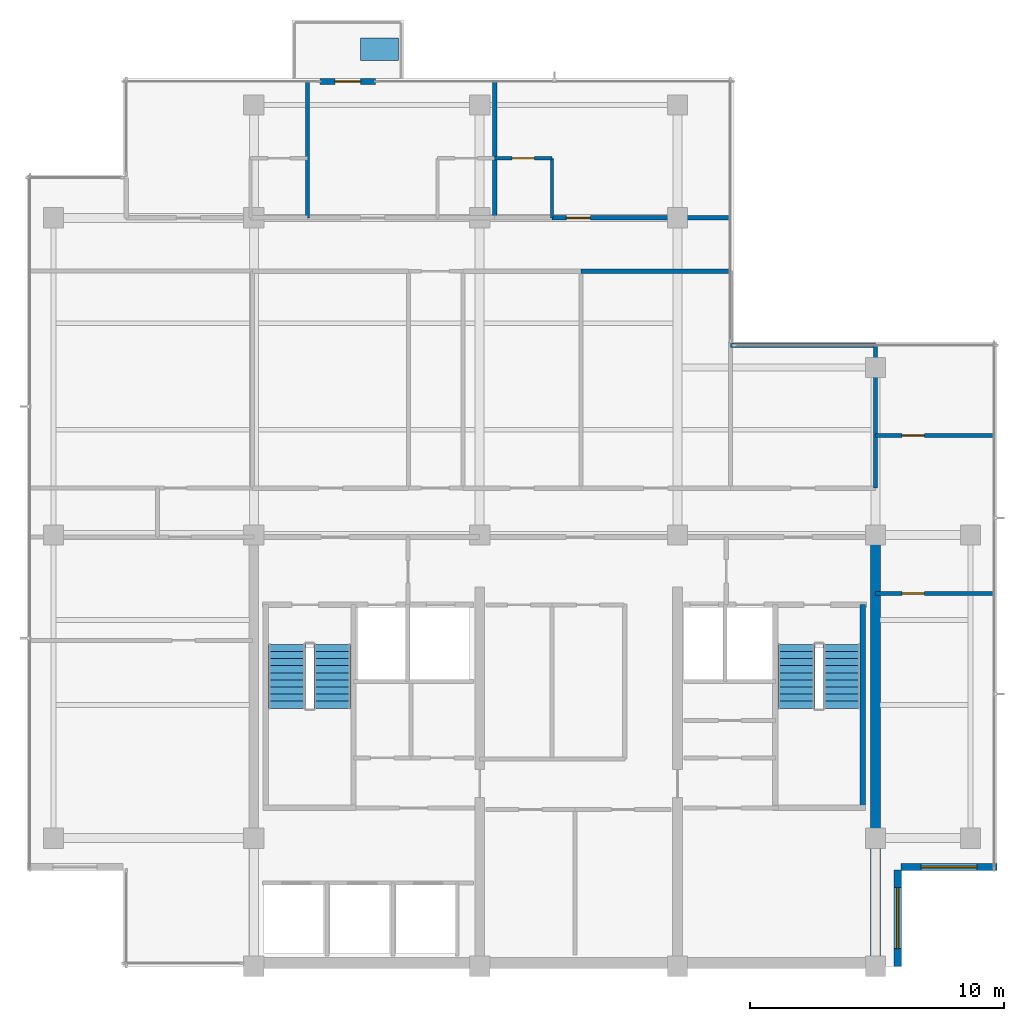
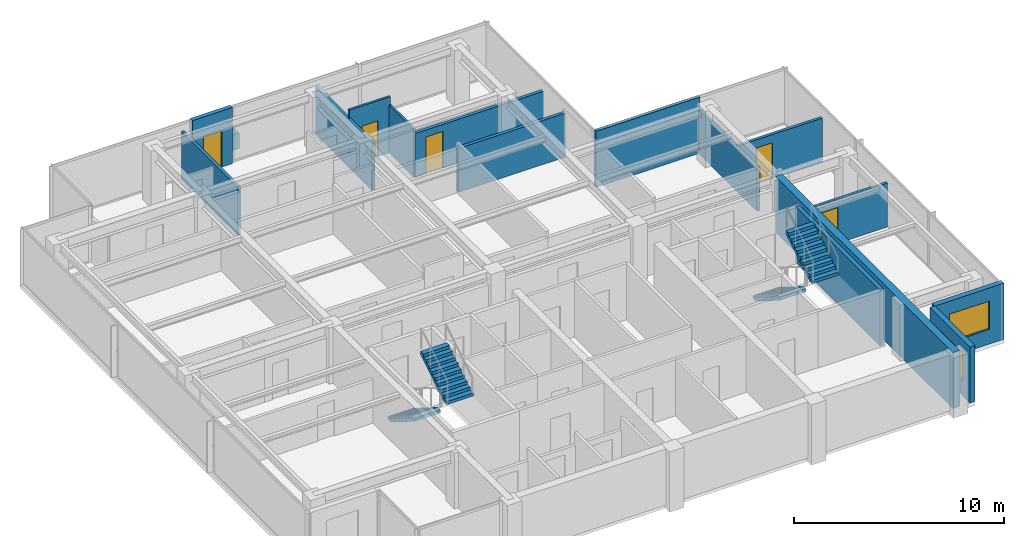
# One storey, part 8 of 11: 15 walls, 5 doors, 4 stair flights, 2 windows, 1 discrete accessory, 7 openings, 2 elements without a shape of their own.
"""IFC4 building model written with IfcOpenShell, lengths in metres."""

from ifc_helpers import new_model, si_unit, direction, frame, frame_2d, origin, place, context, subcontext, project, spatial, polyline, rectangle, outline, extrude, material, layer, layer_set, type_object, element, fill, aggregate, save


model = new_model("IFC4")

# Units and contexts
model_context = context("Model", 3, precision=1e-05, world=origin(), true_north=direction((0.0, 1.0)))
body_context = subcontext(model_context, "Body", "Model", "MODEL_VIEW")
ifc_project = project(units=[si_unit("LENGTHUNIT", "METRE"), si_unit("AREAUNIT", "SQUARE_METRE"), si_unit("VOLUMEUNIT", "CUBIC_METRE"), si_unit("PLANEANGLEUNIT", "RADIAN"), si_unit("MASSUNIT", "GRAM", prefix="KILO")], contexts=[model_context])

# Site, building, storey
site_placement = place(None, origin())
site = spatial("IfcSite", under=ifc_project, at=site_placement, CompositionType="ELEMENT")
building_placement = place(site_placement, origin())
building = spatial("IfcBuilding", under=site, at=building_placement, Name="Qalmaran Belvedere Hotel", CompositionType="ELEMENT")
storey_placement = place(building_placement, frame((0.0, 0.0, 266.89990234375)))
storey = spatial("IfcBuildingStorey", under=building, at=storey_placement, Name="L69", CompositionType="ELEMENT", Elevation=266.89990234375)

# Wall, opening, door
ifc_material_1 = material(Name="Anodised Bronze Cladding")
ifc_layer_1 = layer(ifc_material_1, 0.22509765625, Name="Anodised Bronze Cladding")
ifc_layer_set_1 = layer_set([ifc_layer_1], Name="Anodised Bronze Cladding")
wall_type_1 = type_object("IfcWallType", Name="WL-BAL-PORT-225", PredefinedType="SOLIDWALL", material=ifc_layer_set_1)
wall_1_placement = place(storey_placement, frame((22.89990234375, 38.3798828125, 0.0), z_axis=(0.0, 0.0, 1.0), x_axis=(1.0, 0.0, 0.0)))
wall_1 = element("IfcWall", 1, at=wall_1_placement, inside=storey, type_object=wall_type_1, Name="L69 Tree Balcony Door Portal", PredefinedType="SOLIDWALL", context=body_context, shape_type="SweptSolid", body=[
    extrude(rectangle(XDim=2.2001953125, YDim=0.22509765625, at=frame_2d((1.10009765625, 0.0))), origin(), (0.0, 0.0, 1.0), 3.260009765625),
])
opening_1_placement = place(wall_1_placement, frame((0.590087890625, 0.0, 0.0)))
opening_1 = element("IfcOpeningElement", 2, at=opening_1_placement, cuts=wall_1, Name="Opening BL-102", PredefinedType="OPENING", context=body_context, shape_type="SweptSolid", body=[
    extrude(rectangle(XDim=1.02001953125, YDim=2.10009765625, at=frame_2d((0.510009765625, 1.050048828125))), frame((0.0, 0.12255859375, 0.0), z_axis=(0.0, -1.0, 0.0), x_axis=(1.0, 0.0, 0.0)), (0.0, 0.0, 1.0), 0.2451171875),
])
ifc_material_2 = material(Name="Anodised Bronze Aluminium", Category="aluminium")
door_type_1 = type_object("IfcDoorType", Name="DR-BAL-1020X2100", OperationType="NOTDEFINED", PredefinedType="DOOR", material=ifc_material_2)
door_1_placement = place(opening_1_placement, origin())
door_1 = element("IfcDoor", 3, at=door_1_placement, inside=storey, type_object=door_type_1, Name="L69 Planted Tree Balcony Door", OperationType="SINGLE_SWING_RIGHT", OverallHeight=2.10009765625, OverallWidth=1.02001953125, PredefinedType="DOOR", context=body_context, shape_type="SweptSolid", body=[
    extrude(rectangle(XDim=1.02001953125, YDim=2.10009765625, at=frame_2d((0.510009765625, 1.050048828125))), frame((0.0, 0.02490234375, 0.0), z_axis=(0.0, -1.0, 0.0), x_axis=(1.0, 0.0, 0.0)), (0.0, 0.0, 1.0), 0.050048828125),
])
fill(opening_1, door_1)

# Wall
ifc_material_3 = material(Name="Concrete C50/60", Category="concrete")
ifc_layer_2 = layer(ifc_material_3, 0.3798828125, Name="Concrete C50/60")
ifc_layer_set_2 = layer_set([ifc_layer_2], Name="Concrete C50/60")
wall_type_2 = type_object("IfcWallType", Name="WL-CORE-380-C50", PredefinedType="SHEAR", material=ifc_layer_set_2)
wall_2_placement = place(storey_placement, frame((44.800048828125, 3.5, 0.0), z_axis=(0.0, 0.0, 1.0), x_axis=(0.0, 1.0, 0.0)))
element("IfcWall", 4, at=wall_2_placement, inside=storey, type_object=wall_type_2, Name="L69 East Core Shear Wall", PredefinedType="SHEAR", context=body_context, shape_type="SweptSolid", body=[
    extrude(rectangle(XDim=16.89990234375, YDim=0.3798828125, at=frame_2d((8.449951171875, 0.0))), origin(), (0.0, 0.0, 1.0), 3.260009765625),
])

# Wall, opening, window
ifc_layer_3 = layer(ifc_material_1, 0.280029296875, Name="Anodised Bronze Cladding")
ifc_layer_set_3 = layer_set([ifc_layer_3], Name="Anodised Bronze Cladding")
wall_type_3 = type_object("IfcWallType", Name="WL-EXT-BRNZ-280", PredefinedType="SOLIDWALL", material=ifc_layer_set_3)
wall_3_placement = place(storey_placement, frame((45.679931640625, 3.5, 0.0), z_axis=(0.0, 0.0, 1.0), x_axis=(0.0, 1.0, 0.0)))
wall_3 = element("IfcWall", 5, at=wall_3_placement, inside=storey, type_object=wall_type_3, Name="L69 Corner Notch Wall 1", PredefinedType="SOLIDWALL", context=body_context, shape_type="SweptSolid", body=[
    extrude(rectangle(XDim=3.800048828125, YDim=0.280029296875, at=frame_2d((1.89990234375, 0.0))), origin(), (0.0, 0.0, 1.0), 3.260009765625),
])
opening_2_placement = place(wall_3_placement, frame((0.699951171875, 0.0, 0.85009765625)))
opening_2 = element("IfcOpeningElement", 6, at=opening_2_placement, cuts=wall_3, Name="Opening W-N24", PredefinedType="OPENING", context=body_context, shape_type="SweptSolid", body=[
    extrude(rectangle(XDim=2.39990234375, YDim=1.64990234375, at=frame_2d((1.199951171875, 0.824951171875))), frame((0.0, 0.14990234375, 0.0), z_axis=(0.0, -1.0, 0.0), x_axis=(1.0, 0.0, 0.0)), (0.0, 0.0, 1.0), 0.300048828125),
])
ifc_material_4 = material(Name="Solar-Control Double Glazing", Category="glass")
window_type_1 = type_object("IfcWindowType", Name="WN-NTC-2400X1650", PartitioningType="SINGLE_PANEL", PredefinedType="WINDOW", material=ifc_material_4)
window_1_placement = place(opening_2_placement, origin())
window_1 = element("IfcWindow", 7, at=window_1_placement, inside=storey, type_object=window_type_1, Name="L69 Corner Notch Window 1", OverallHeight=1.64990234375, OverallWidth=2.39990234375, PartitioningType="SINGLE_PANEL", PredefinedType="WINDOW", context=body_context, shape_type="SweptSolid", body=[
    extrude(rectangle(XDim=2.39990234375, YDim=1.64990234375, at=frame_2d((1.199951171875, 0.824951171875))), frame((0.0, 0.030029296875, 0.0), z_axis=(0.0, -1.0, 0.0), x_axis=(1.0, 0.0, 0.0)), (0.0, 0.0, 1.0), 0.06005859375),
])
fill(opening_2, window_1)

wall_4_placement = place(storey_placement, frame((45.800048828125, 7.419921875, 0.0), z_axis=(0.0, 0.0, 1.0), x_axis=(1.0, 0.0, 0.0)))
wall_4 = element("IfcWall", 8, at=wall_4_placement, inside=storey, type_object=wall_type_3, Name="L69 Corner Notch Wall 2", PredefinedType="SOLIDWALL", context=body_context, shape_type="SweptSolid", body=[
    extrude(rectangle(XDim=3.800048828125, YDim=0.280029296875, at=frame_2d((1.89990234375, 0.0))), origin(), (0.0, 0.0, 1.0), 3.260009765625),
])
opening_3_placement = place(wall_4_placement, frame((0.800048828125, 0.0, 0.85009765625)))
opening_3 = element("IfcOpeningElement", 9, at=opening_3_placement, cuts=wall_4, Name="Opening W-N22", PredefinedType="OPENING", context=body_context, shape_type="SweptSolid", body=[
    extrude(rectangle(XDim=2.199951171875, YDim=1.64990234375, at=frame_2d((1.10009765625, 0.824951171875))), frame((0.0, 0.14990234375, 0.0), z_axis=(0.0, -1.0, 0.0), x_axis=(1.0, 0.0, 0.0)), (0.0, 0.0, 1.0), 0.300048828125),
])
window_type_2 = type_object("IfcWindowType", Name="WN-NTC-2200X1650", PartitioningType="SINGLE_PANEL", PredefinedType="WINDOW", material=ifc_material_4)
window_2_placement = place(opening_3_placement, origin())
window_2 = element("IfcWindow", 10, at=window_2_placement, inside=storey, type_object=window_type_2, Name="L69 Corner Notch Window 2", OverallHeight=1.64990234375, OverallWidth=2.199951171875, PartitioningType="SINGLE_PANEL", PredefinedType="WINDOW", context=body_context, shape_type="SweptSolid", body=[
    extrude(rectangle(XDim=2.199951171875, YDim=1.64990234375, at=frame_2d((1.10009765625, 0.824951171875))), frame((0.0, 0.030029296875, 0.0), z_axis=(0.0, -1.0, 0.0), x_axis=(1.0, 0.0, 0.0)), (0.0, 0.0, 1.0), 0.06005859375),
])
fill(opening_3, window_2)

# Wall, opening, door
ifc_material_5 = material(Name="Moisture-Resistant Gypsum")
ifc_layer_4 = layer(ifc_material_5, 0.1201171875, Name="Moisture-Resistant Gypsum")
ifc_layer_set_4 = layer_set([ifc_layer_4], Name="Moisture-Resistant Gypsum")
wall_type_4 = type_object("IfcWallType", Name="WL-INT-120-BATH", PredefinedType="PARTITIONING", material=ifc_layer_set_4)
wall_5_placement = place(storey_placement, frame((29.794189453125, 35.35009765625, 0.0), z_axis=(0.0, 0.0, 1.0), x_axis=(1.0, 0.0, 0.0)))
wall_5 = element("IfcWall", 11, at=wall_5_placement, inside=storey, type_object=wall_type_4, Name="L69 Partition WL-L69-NBN02", PredefinedType="PARTITIONING", context=body_context, shape_type="SweptSolid", body=[
    extrude(rectangle(XDim=2.25, YDim=0.1201171875, at=frame_2d((1.125, 0.0))), origin(), (0.0, 0.0, 1.0), 3.260009765625),
])
opening_4_placement = place(wall_5_placement, frame((1.56494140625, 0.0, 0.0), z_axis=(0.0, 0.0, 1.0), x_axis=(-1.0, 0.0, 0.0)))
opening_4 = element("IfcOpeningElement", 12, at=opening_4_placement, cuts=wall_5, Name="Opening D-BATH", PredefinedType="OPENING", context=body_context, shape_type="SweptSolid", body=[
    extrude(rectangle(XDim=0.8798828125, YDim=2.080078125, at=frame_2d((0.43994140625, 1.0400390625))), frame((0.0, 0.070068359375, 0.0), z_axis=(0.0, -1.0, 0.0), x_axis=(1.0, 0.0, 0.0)), (0.0, 0.0, 1.0), 0.14013671875),
])
ifc_material_6 = material(Name="Engineered Oak Veneer")
door_type_2 = type_object("IfcDoorType", Name="DR-INT-BATH-880X2080", OperationType="NOTDEFINED", PredefinedType="DOOR", material=ifc_material_6)
door_2_placement = place(opening_4_placement, origin())
door_2 = element("IfcDoor", 13, at=door_2_placement, inside=storey, type_object=door_type_2, Name="L69 Ensuite Bathroom Door N03", OperationType="SINGLE_SWING_RIGHT", OverallHeight=2.080078125, OverallWidth=0.8798828125, PredefinedType="DOOR", context=body_context, shape_type="SweptSolid", body=[
    extrude(rectangle(XDim=0.8798828125, YDim=2.080078125, at=frame_2d((0.43994140625, 1.0400390625))), frame((0.0, 0.02490234375, 0.0), z_axis=(0.0, -1.0, 0.0), x_axis=(1.0, 0.0, 0.0)), (0.0, 0.0, 1.0), 0.050048828125),
])
fill(opening_4, door_2)

# Wall
wall_6_placement = place(storey_placement, frame((32.044189453125, 33.0, 0.0), z_axis=(0.0, 0.0, 1.0), x_axis=(0.0, 1.0, 0.0)))
element("IfcWall", 14, at=wall_6_placement, inside=storey, type_object=wall_type_4, Name="L69 Partition WL-L69-NBS02", PredefinedType="PARTITIONING", context=body_context, shape_type="SweptSolid", body=[
    extrude(rectangle(XDim=2.35009765625, YDim=0.1201171875, at=frame_2d((1.175048828125, 0.0))), origin(), (0.0, 0.0, 1.0), 2.781982421875),
])

# Wall, opening, door
ifc_material_7 = material(Name="Gypsum Stud Partition")
ifc_layer_5 = layer(ifc_material_7, 0.159912109375, Name="Gypsum Stud Partition")
ifc_layer_set_5 = layer_set([ifc_layer_5], Name="Gypsum Stud Partition")
wall_type_5 = type_object("IfcWallType", Name="WL-INT-160-EI60", PredefinedType="PARTITIONING", material=ifc_layer_set_5)
wall_7_placement = place(storey_placement, frame((44.800048828125, 18.199951171875, 0.0), z_axis=(0.0, 0.0, 1.0), x_axis=(1.0, 0.0, 0.0)))
wall_7 = element("IfcWall", 15, at=wall_7_placement, inside=storey, type_object=wall_type_5, Name="L69 Partition WL-L69-C4EES", PredefinedType="PARTITIONING", context=body_context, shape_type="SweptSolid", body=[
    extrude(rectangle(XDim=4.679931640625, YDim=0.159912109375, at=frame_2d((2.33984375, 0.0))), origin(), (0.0, 0.0, 1.0), 2.550048828125),
])
opening_5_placement = place(wall_7_placement, frame((1.929931640625, 0.0, 0.0), z_axis=(0.0, 0.0, 1.0), x_axis=(-1.0, 0.0, 0.0)))
opening_5 = element("IfcOpeningElement", 16, at=opening_5_placement, cuts=wall_7, Name="Opening FD60B", PredefinedType="OPENING", context=body_context, shape_type="SweptSolid", body=[
    extrude(rectangle(XDim=0.8798828125, YDim=2.080078125, at=frame_2d((0.43994140625, 1.0400390625))), frame((0.0, 0.08984375, 0.0), z_axis=(0.0, -1.0, 0.0), x_axis=(1.0, 0.0, 0.0)), (0.0, 0.0, 1.0), 0.179931640625),
])
ifc_material_8 = material(Name="Steel S355JR", Category="steel")
door_type_3 = type_object("IfcDoorType", Name="DR-FD60B-880X2080", OperationType="NOTDEFINED", PredefinedType="DOOR", material=ifc_material_8)
door_3_placement = place(opening_5_placement, origin())
door_3 = element("IfcDoor", 17, at=door_3_placement, inside=storey, type_object=door_type_3, Name="L69 East Reading Door", OperationType="SINGLE_SWING_RIGHT", OverallHeight=2.080078125, OverallWidth=0.8798828125, PredefinedType="DOOR", context=body_context, shape_type="SweptSolid", body=[
    extrude(rectangle(XDim=0.8798828125, YDim=2.080078125, at=frame_2d((0.43994140625, 1.0400390625))), frame((0.0, 0.02490234375, 0.0), z_axis=(0.0, -1.0, 0.0), x_axis=(1.0, 0.0, 0.0)), (0.0, 0.0, 1.0), 0.050048828125),
])
fill(opening_5, door_3)

wall_8_placement = place(storey_placement, frame((44.800048828125, 24.419921875, 0.0), z_axis=(0.0, 0.0, 1.0), x_axis=(1.0, 0.0, 0.0)))
wall_8 = element("IfcWall", 18, at=wall_8_placement, inside=storey, type_object=wall_type_5, Name="L69 Partition WL-L69-C4EEN", PredefinedType="PARTITIONING", context=body_context, shape_type="SweptSolid", body=[
    extrude(rectangle(XDim=4.679931640625, YDim=0.159912109375, at=frame_2d((2.33984375, 0.0))), origin(), (0.0, 0.0, 1.0), 2.550048828125),
])
opening_6_placement = place(wall_8_placement, frame((1.050048828125, 0.0, 0.0)))
opening_6 = element("IfcOpeningElement", 19, at=opening_6_placement, cuts=wall_8, Name="Opening FD60B", PredefinedType="OPENING", context=body_context, shape_type="SweptSolid", body=[
    extrude(rectangle(XDim=0.8798828125, YDim=2.080078125, at=frame_2d((0.43994140625, 1.0400390625))), frame((0.0, 0.08984375, 0.0), z_axis=(0.0, -1.0, 0.0), x_axis=(1.0, 0.0, 0.0)), (0.0, 0.0, 1.0), 0.179931640625),
])
door_4_placement = place(opening_6_placement, origin())
door_4 = element("IfcDoor", 20, at=door_4_placement, inside=storey, type_object=door_type_3, Name="L69 East Study Door", OperationType="SINGLE_SWING_LEFT", OverallHeight=2.080078125, OverallWidth=0.8798828125, PredefinedType="DOOR", context=body_context, shape_type="SweptSolid", body=[
    extrude(rectangle(XDim=0.8798828125, YDim=2.080078125, at=frame_2d((0.43994140625, 1.0400390625))), frame((0.0, 0.02490234375, 0.0), z_axis=(0.0, -1.0, 0.0), x_axis=(1.0, 0.0, 0.0)), (0.0, 0.0, 1.0), 0.050048828125),
])
fill(opening_6, door_4)

# Walls
wall_9_placement = place(storey_placement, frame((44.800048828125, 22.35009765625, 0.0), z_axis=(0.0, 0.0, 1.0), x_axis=(0.0, 1.0, 0.0)))
element("IfcWall", 21, at=wall_9_placement, inside=storey, type_object=wall_type_5, Name="L69 Partition WL-L69-C4MFVR1", PredefinedType="PARTITIONING", context=body_context, shape_type="SweptSolid", body=[
    extrude(rectangle(XDim=5.6298828125, YDim=0.159912109375, at=frame_2d((2.81494140625, 0.0))), origin(), (0.0, 0.0, 1.0), 2.550048828125),
])
for number, where, z_axis, x_axis, name in (
    (22, (22.4130859375, 33.0, 0.0), (0.0, 0.0, 1.0), (0.0, 1.0, 0.0), "L69 Partition WL-L69-NUR00"),
    (23, (29.794189453125, 33.0, 0.0), (0.0, 0.0, 1.0), (0.0, 1.0, 0.0), "L69 Partition WL-L69-NUR01"),
):
    element("IfcWall", number, at=place(storey_placement, frame(where, z_axis=z_axis, x_axis=x_axis)), inside=storey, type_object=wall_type_5, Name=name, PredefinedType="PARTITIONING", context=body_context, shape_type="SweptSolid", body=[
        extrude(rectangle(XDim=5.3798828125, YDim=0.159912109375, at=frame_2d((2.68994140625, 0.0))), origin(), (0.0, 0.0, 1.0), 2.781982421875),
    ])
ifc_layer_6 = layer(ifc_material_7, 0.179931640625, Name="Gypsum Stud Partition")
ifc_layer_set_6 = layer_set([ifc_layer_6], Name="Gypsum Stud Partition")
wall_type_6 = type_object("IfcWallType", Name="WL-INT-180-EI60", PredefinedType="PARTITIONING", material=ifc_layer_set_6)
wall_10_placement = place(storey_placement, frame((33.199951171875, 30.89990234375, 0.0), z_axis=(0.0, 0.0, 1.0), x_axis=(1.0, 0.0, 0.0)))
element("IfcWall", 24, at=wall_10_placement, inside=storey, type_object=wall_type_6, Name="L69 Partition WL-L69-C4MEO2", PredefinedType="PARTITIONING", context=body_context, shape_type="SweptSolid", body=[
    extrude(rectangle(XDim=5.880126953125, YDim=0.179931640625, at=frame_2d((2.93994140625, 0.0))), origin(), (0.0, 0.0, 1.0), 2.550048828125),
])
wall_11_placement = place(storey_placement, frame((39.080078125, 27.97998046875, 0.0), z_axis=(0.0, 0.0, 1.0), x_axis=(1.0, 0.0, 0.0)))
element("IfcWall", 25, at=wall_11_placement, inside=storey, type_object=wall_type_6, Name="L69 Partition WL-L69-C4MFO1", PredefinedType="PARTITIONING", context=body_context, shape_type="SweptSolid", body=[
    extrude(rectangle(XDim=5.719970703125, YDim=0.179931640625, at=frame_2d((2.85986328125, 0.0))), origin(), (0.0, 0.0, 1.0), 3.260009765625),
])

# Wall, opening, door
wall_12_placement = place(storey_placement, frame((32.044189453125, 33.0, 0.0), z_axis=(0.0, 0.0, 1.0), x_axis=(1.0, 0.0, 0.0)))
wall_12 = element("IfcWall", 26, at=wall_12_placement, inside=storey, type_object=wall_type_6, Name="L69 Partition WL-L69-NEC02", PredefinedType="PARTITIONING", context=body_context, shape_type="SweptSolid", body=[
    extrude(rectangle(XDim=7.035888671875, YDim=0.179931640625, at=frame_2d((3.51806640625, 0.0))), origin(), (0.0, 0.0, 1.0), 2.550048828125),
])
opening_7_placement = place(wall_12_placement, frame((0.572998046875, 0.0, 0.0)))
opening_7 = element("IfcOpeningElement", 27, at=opening_7_placement, cuts=wall_12, Name="Opening FD60", PredefinedType="OPENING", context=body_context, shape_type="SweptSolid", body=[
    extrude(rectangle(XDim=0.949951171875, YDim=2.14990234375, at=frame_2d((0.47509765625, 1.074951171875))), frame((0.0, 0.10009765625, 0.0), z_axis=(0.0, -1.0, 0.0), x_axis=(1.0, 0.0, 0.0)), (0.0, 0.0, 1.0), 0.199951171875),
])
door_type_4 = type_object("IfcDoorType", Name="DR-FD60-950X2150", OperationType="NOTDEFINED", PredefinedType="DOOR", material=ifc_material_6)
door_5_placement = place(opening_7_placement, origin())
door_5 = element("IfcDoor", 28, at=door_5_placement, inside=storey, type_object=door_type_4, Name="L69 Guest Entrance Door N03", OperationType="SINGLE_SWING_LEFT", OverallHeight=2.14990234375, OverallWidth=0.949951171875, PredefinedType="DOOR", context=body_context, shape_type="SweptSolid", body=[
    extrude(rectangle(XDim=0.949951171875, YDim=2.14990234375, at=frame_2d((0.47509765625, 1.074951171875))), frame((0.0, 0.02490234375, 0.0), z_axis=(0.0, -1.0, 0.0), x_axis=(1.0, 0.0, 0.0)), (0.0, 0.0, 1.0), 0.050048828125),
])
fill(opening_7, door_5)

# Wall
ifc_layer_7 = layer(ifc_material_3, 0.2099609375, Name="Concrete C50/60")
ifc_layer_set_7 = layer_set([ifc_layer_7], Name="Concrete C50/60")
wall_type_7 = type_object("IfcWallType", Name="WL-STAIR-210-C50", PredefinedType="SHEAR", material=ifc_layer_set_7)
wall_13_placement = place(storey_placement, frame((44.304931640625, 9.7451171875, 0.0), z_axis=(0.0, 0.0, 1.0), x_axis=(0.0, 1.0, 0.0)))
element("IfcWall", 29, at=wall_13_placement, inside=storey, type_object=wall_type_7, Name="L69 Stair ST-2 East Bearing Wall", PredefinedType="SHEAR", context=body_context, shape_type="SweptSolid", body=[
    extrude(rectangle(XDim=8.009765625, YDim=0.2099609375, at=frame_2d((4.0048828125, 0.0))), origin(), (0.0, 0.0, 1.0), 3.260009765625),
])

# Stair, stair flights
ifc_material_9 = material(Name="Concrete C40/50", Category="concrete")
stair_type_1 = type_object("IfcStairType", Name="STR-ST-1-1450-R1750", PredefinedType="HALF_TURN_STAIR", material=ifc_material_9)
stair_1_placement = place(storey_placement, origin())
stair_1 = element("IfcStair", 30, at=stair_1_placement, inside=storey, type_object=stair_type_1, Name="L69 West Core Exit Stair ST-1", PredefinedType="HALF_TURN_STAIR")
ifc_layer_8 = layer(ifc_material_9, 0.14990234375, Name="Concrete C40/50")
ifc_layer_set_8 = layer_set([ifc_layer_8], Name="Concrete C40/50")
stair_flight_type_1 = type_object("IfcStairFlightType", Name="STF-ST-1-1450-R1750", PredefinedType="STRAIGHT", material=ifc_layer_set_8)
stair_flight_1_placement = place(storey_placement, frame((21.60498046875, 16.18994140625, 0.0), z_axis=(0.0, 0.0, 1.0), x_axis=(0.0, -1.0, 0.0)))
stair_flight_1 = element("IfcStairFlight", 31, at=stair_flight_1_placement, type_object=stair_flight_type_1, Name="ST-1 flight 1", NumberOfRisers=10, NumberOfTreads=9, PredefinedType="STRAIGHT", RiserHeight=0.175, TreadLength=0.28, context=body_context, shape_type="SweptSolid", body=[
    extrude(outline(polyline([(0.0, 0.0), (0.0, 0.175048828125), (0.280029296875, 0.175048828125), (0.280029296875, 0.35009765625), (0.56005859375, 0.35009765625), (0.56005859375, 0.52490234375), (0.840087890625, 0.52490234375), (0.840087890625, 0.699951171875), (1.1201171875, 0.699951171875), (1.1201171875, 0.875), (1.39990234375, 0.875), (1.39990234375, 1.050048828125), (1.679931640625, 1.050048828125), (1.679931640625, 1.22509765625), (1.9599609375, 1.22509765625), (1.9599609375, 1.39990234375), (2.239990234375, 1.39990234375), (2.239990234375, 1.574951171875), (2.52001953125, 1.574951171875), (2.52001953125, 1.75), (2.52001953125, 1.398193359375), (0.28271484375, 0.0), (0.0, 0.0)])), frame((0.0, 0.72509765625, 0.0), z_axis=(0.0, -1.0, 0.0), x_axis=(1.0, 0.0, 0.0)), (0.0, 0.0, 1.0), 1.449951171875),
])
stair_flight_2_placement = place(storey_placement, frame((23.39501953125, 13.669921875, 1.75), z_axis=(0.0, 0.0, 1.0), x_axis=(0.0, 1.0, 0.0)))
stair_flight_2 = element("IfcStairFlight", 32, at=stair_flight_2_placement, type_object=stair_flight_type_1, Name="ST-1 flight 2", NumberOfRisers=10, NumberOfTreads=9, PredefinedType="STRAIGHT", RiserHeight=0.175, TreadLength=0.28, context=body_context, shape_type="SweptSolid", body=[
    extrude(outline(polyline([(0.0, 0.0), (0.0, 0.175048828125), (0.280029296875, 0.175048828125), (0.280029296875, 0.35009765625), (0.56005859375, 0.35009765625), (0.56005859375, 0.52490234375), (0.840087890625, 0.52490234375), (0.840087890625, 0.699951171875), (1.1201171875, 0.699951171875), (1.1201171875, 0.875), (1.39990234375, 0.875), (1.39990234375, 1.050048828125), (1.679931640625, 1.050048828125), (1.679931640625, 1.22509765625), (1.9599609375, 1.22509765625), (1.9599609375, 1.39990234375), (2.239990234375, 1.39990234375), (2.239990234375, 1.574951171875), (2.52001953125, 1.574951171875), (2.52001953125, 1.75), (2.52001953125, 1.398193359375), (0.28271484375, 0.0), (0.0, 0.0)])), frame((0.0, 0.72509765625, 0.0), z_axis=(0.0, -1.0, 0.0), x_axis=(1.0, 0.0, 0.0)), (0.0, 0.0, 1.0), 1.449951171875),
])
aggregate(stair_1, [stair_flight_1, stair_flight_2])

stair_type_2 = type_object("IfcStairType", Name="STR-ST-2-1450-R1750", PredefinedType="HALF_TURN_STAIR", material=ifc_material_9)
stair_2_placement = place(storey_placement, origin())
stair_2 = element("IfcStair", 33, at=stair_2_placement, inside=storey, type_object=stair_type_2, Name="L69 East Core Exit Stair ST-2", PredefinedType="HALF_TURN_STAIR")
ifc_layer_9 = layer(ifc_material_9, 0.14990234375, Name="Concrete C40/50")
ifc_layer_set_9 = layer_set([ifc_layer_9], Name="Concrete C40/50")
stair_flight_type_2 = type_object("IfcStairFlightType", Name="STF-ST-2-1450-R1750", PredefinedType="STRAIGHT", material=ifc_layer_set_9)
stair_flight_3_placement = place(storey_placement, frame((41.68505859375, 16.18994140625, 0.0), z_axis=(0.0, 0.0, 1.0), x_axis=(0.0, -1.0, 0.0)))
stair_flight_3 = element("IfcStairFlight", 34, at=stair_flight_3_placement, type_object=stair_flight_type_2, Name="ST-2 flight 1", NumberOfRisers=10, NumberOfTreads=9, PredefinedType="STRAIGHT", RiserHeight=0.175, TreadLength=0.28, context=body_context, shape_type="SweptSolid", body=[
    extrude(outline(polyline([(0.0, 0.0), (0.0, 0.175048828125), (0.280029296875, 0.175048828125), (0.280029296875, 0.35009765625), (0.56005859375, 0.35009765625), (0.56005859375, 0.52490234375), (0.840087890625, 0.52490234375), (0.840087890625, 0.699951171875), (1.1201171875, 0.699951171875), (1.1201171875, 0.875), (1.39990234375, 0.875), (1.39990234375, 1.050048828125), (1.679931640625, 1.050048828125), (1.679931640625, 1.22509765625), (1.9599609375, 1.22509765625), (1.9599609375, 1.39990234375), (2.239990234375, 1.39990234375), (2.239990234375, 1.574951171875), (2.52001953125, 1.574951171875), (2.52001953125, 1.75), (2.52001953125, 1.398193359375), (0.28271484375, 0.0), (0.0, 0.0)])), frame((0.0, 0.72509765625, 0.0), z_axis=(0.0, -1.0, 0.0), x_axis=(1.0, 0.0, 0.0)), (0.0, 0.0, 1.0), 1.449951171875),
])
stair_flight_4_placement = place(storey_placement, frame((43.47509765625, 13.669921875, 1.75), z_axis=(0.0, 0.0, 1.0), x_axis=(0.0, 1.0, 0.0)))
stair_flight_4 = element("IfcStairFlight", 35, at=stair_flight_4_placement, type_object=stair_flight_type_2, Name="ST-2 flight 2", NumberOfRisers=10, NumberOfTreads=9, PredefinedType="STRAIGHT", RiserHeight=0.175, TreadLength=0.28, context=body_context, shape_type="SweptSolid", body=[
    extrude(outline(polyline([(0.0, 0.0), (0.0, 0.175048828125), (0.280029296875, 0.175048828125), (0.280029296875, 0.35009765625), (0.56005859375, 0.35009765625), (0.56005859375, 0.52490234375), (0.840087890625, 0.52490234375), (0.840087890625, 0.699951171875), (1.1201171875, 0.699951171875), (1.1201171875, 0.875), (1.39990234375, 0.875), (1.39990234375, 1.050048828125), (1.679931640625, 1.050048828125), (1.679931640625, 1.22509765625), (1.9599609375, 1.22509765625), (1.9599609375, 1.39990234375), (2.239990234375, 1.39990234375), (2.239990234375, 1.574951171875), (2.52001953125, 1.574951171875), (2.52001953125, 1.75), (2.52001953125, 1.398193359375), (0.28271484375, 0.0), (0.0, 0.0)])), frame((0.0, 0.72509765625, 0.0), z_axis=(0.0, -1.0, 0.0), x_axis=(1.0, 0.0, 0.0)), (0.0, 0.0, 1.0), 1.449951171875),
])
aggregate(stair_2, [stair_flight_3, stair_flight_4])

# Discrete accessory
discrete_accessory_type = type_object("IfcDiscreteAccessoryType", Name="PLN-BAL-1500", PredefinedType="USERDEFINED", material=ifc_material_9)
discrete_accessory_placement = place(storey_placement, origin())
element("IfcDiscreteAccessory", 36, at=discrete_accessory_placement, inside=storey, type_object=discrete_accessory_type, Name="L69 Sky Tree Planter", ObjectType="PLANTER", PredefinedType="USERDEFINED", context=body_context, shape_type="SweptSolid", body=[
    extrude(outline(polyline([(24.5, 39.199951171875), (26.0, 39.199951171875), (26.0, 40.10009765625), (24.5, 40.10009765625), (24.5, 39.199951171875)])), origin(), (0.0, 0.0, 1.0), 0.900146484375),
])

save(model, "model.ifc")
